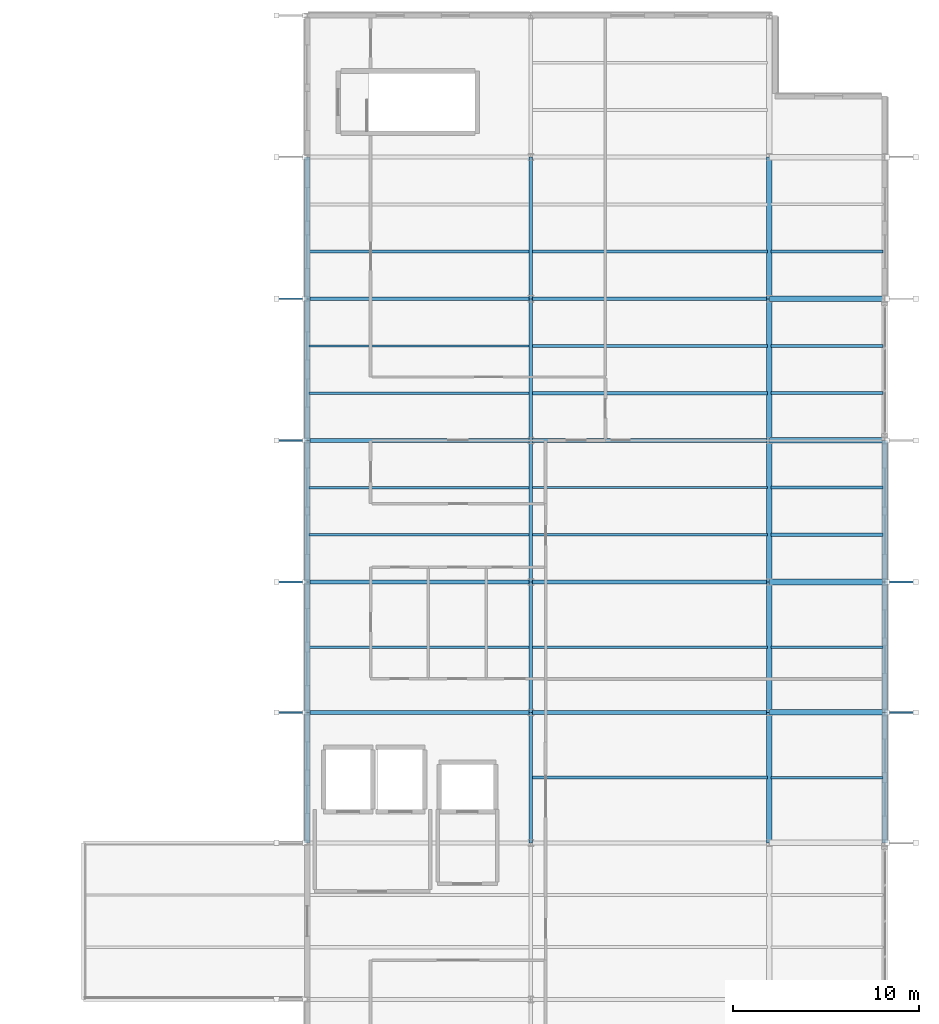
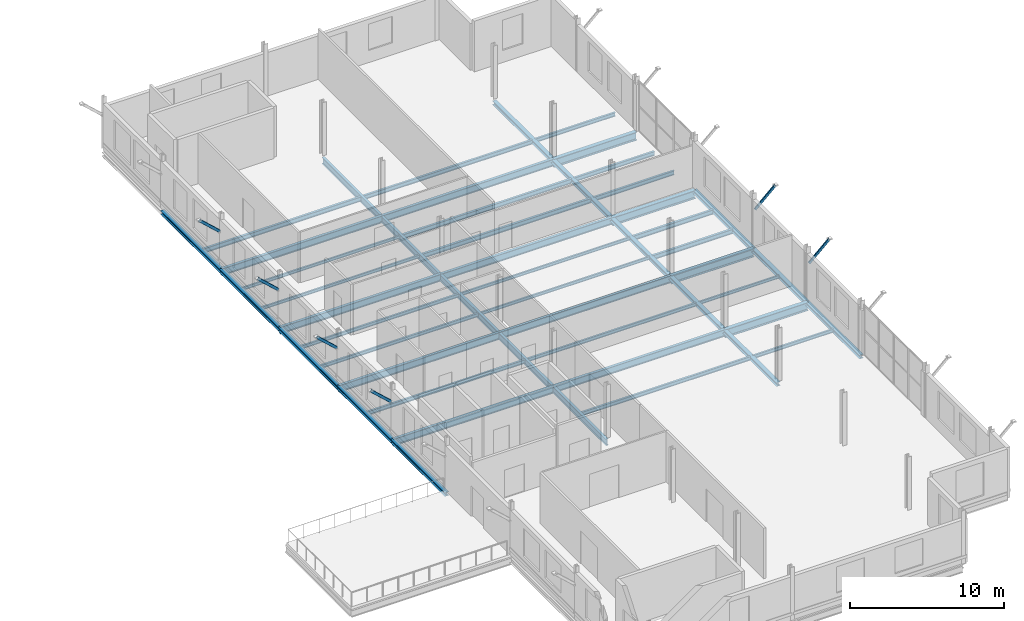
# One storey, part 14 of 25: 50 beams, 6 members.
"""IFC4 building model written with IfcOpenShell, lengths in metres."""

from ifc_helpers import new_model, si_unit, direction, frame, origin, origin_2d, place, context, subcontext, project, spatial, hollow_rectangle, i_section, extrude, material, material_profile, profile_set, type_object, element, save


model = new_model("IFC4")

# Units and contexts
model_context = context("Model", 3, precision=1e-05, world=origin(), true_north=direction((0.0, 1.0)))
body_context = subcontext(model_context, "Body", "Model", "MODEL_VIEW")
ifc_project = project(units=[si_unit("LENGTHUNIT", "METRE"), si_unit("AREAUNIT", "SQUARE_METRE"), si_unit("VOLUMEUNIT", "CUBIC_METRE"), si_unit("PLANEANGLEUNIT", "RADIAN"), si_unit("MASSUNIT", "GRAM", prefix="KILO")], contexts=[model_context])

# Site, building, storey
site_placement = place(None, origin())
site = spatial("IfcSite", under=ifc_project, at=site_placement, CompositionType="ELEMENT")
building_placement = place(site_placement, origin())
building = spatial("IfcBuilding", under=site, at=building_placement, Name="Vekula Escarpment Museum", CompositionType="ELEMENT")
storey_placement = place(building_placement, frame((0.0, 0.0, 26.39990234375)))
storey = spatial("IfcBuildingStorey", under=building, at=storey_placement, Name="L06", CompositionType="ELEMENT", Elevation=26.39990234375)

# Beams
ifc_material_1 = material(Name="Steel S355", Category="steel")
ifc_material_profile_1 = material_profile(ifc_material_1, i_section(OverallWidth=0.300048828125, OverallDepth=0.64990234375, WebThickness=0.01611328125, FlangeThickness=0.031005859375, FilletRadius=0.027099609375, at=origin_2d()), Name="HEB 650")
ifc_profile_set_1 = profile_set([ifc_material_profile_1], Name="Steel S355")
beam_type_1 = type_object("IfcBeamType", Name="BM-GIRD-HEB650", PredefinedType="BEAM", material=ifc_profile_set_1)
for number, where, z_axis, x_axis, name in (
    (1, (191.800048828125, 83.39990234375, -0.544921875), (1.0, 0.0, 0.0), (0.0, 1.0, 0.0), "Beam X L06 2229"),
    (2, (191.800048828125, 90.39990234375, -0.544921875), (1.0, 0.0, 0.0), (0.0, 1.0, 0.0), "Beam X L06 2232"),
    (3, (191.800048828125, 98.0, -0.544921875), (1.0, 0.0, 0.0), (0.0, 1.0, 0.0), "Beam X L06 2235"),
    (4, (191.800048828125, 105.60009765625, -0.544921875), (1.0, 0.0, 0.0), (0.0, 1.0, 0.0), "Beam X L06 2238"),
):
    element("IfcBeam", number, at=place(storey_placement, frame(where, z_axis=z_axis, x_axis=x_axis)), inside=storey, type_object=beam_type_1, Name=name, PredefinedType="BEAM", context=body_context, shape_type="SweptSolid", body=[
        extrude(i_section(OverallWidth=0.300048828125, OverallDepth=0.64990234375, WebThickness=0.01611328125, FlangeThickness=0.031005859375, FilletRadius=0.027099609375, at=origin_2d()), origin(), (0.0, 0.0, 1.0), 6.199951171875),
    ])
ifc_material_2 = material(Name="Steel S355", Category="steel")
ifc_material_profile_2 = material_profile(ifc_material_2, i_section(OverallWidth=0.199951171875, OverallDepth=0.5, WebThickness=0.01025390625, FlangeThickness=0.01611328125, FilletRadius=0.02099609375, at=origin_2d()), Name="IPE 500")
ifc_profile_set_2 = profile_set([ifc_material_profile_2], Name="Steel S355")
beam_type_2 = type_object("IfcBeamType", Name="BM-GIRD-IPE500", PredefinedType="BEAM", material=ifc_profile_set_2)
for number, where, z_axis, x_axis, name in (
    (5, (179.0, 76.39990234375, -0.469970703125), (0.0, 1.0, 0.0), (-1.0, 0.0, 0.0), "Beam Y L06 2279"),
    (6, (179.0, 83.39990234375, -0.469970703125), (0.0, 1.0, 0.0), (-1.0, 0.0, 0.0), "Beam Y L06 2280"),
):
    element("IfcBeam", number, at=place(storey_placement, frame(where, z_axis=z_axis, x_axis=x_axis)), inside=storey, type_object=beam_type_2, Name=name, PredefinedType="BEAM", context=body_context, shape_type="SweptSolid", body=[
        extrude(i_section(OverallWidth=0.199951171875, OverallDepth=0.5, WebThickness=0.01025390625, FlangeThickness=0.01611328125, FilletRadius=0.02099609375, at=origin_2d()), origin(), (0.0, 0.0, 1.0), 7.0),
    ])
for number, where, z_axis, x_axis, name in (
    (7, (179.0, 90.39990234375, -0.469970703125), (0.0, 1.0, 0.0), (-1.0, 0.0, 0.0), "Beam Y L06 2281"),
    (8, (179.0, 98.0, -0.469970703125), (0.0, 1.0, 0.0), (-1.0, 0.0, 0.0), "Beam Y L06 2282"),
):
    element("IfcBeam", number, at=place(storey_placement, frame(where, z_axis=z_axis, x_axis=x_axis)), inside=storey, type_object=beam_type_2, Name=name, PredefinedType="BEAM", context=body_context, shape_type="SweptSolid", body=[
        extrude(i_section(OverallWidth=0.199951171875, OverallDepth=0.5, WebThickness=0.01025390625, FlangeThickness=0.01611328125, FilletRadius=0.02099609375, at=origin_2d()), origin(), (0.0, 0.0, 1.0), 7.60009765625),
    ])
beam_1_placement = place(storey_placement, frame((179.0, 105.60009765625, -0.469970703125), z_axis=(0.0, 1.0, 0.0), x_axis=(-1.0, 0.0, 0.0)))
element("IfcBeam", 9, at=beam_1_placement, inside=storey, type_object=beam_type_2, Name="Beam Y L06 2283", PredefinedType="BEAM", context=body_context, shape_type="SweptSolid", body=[
    extrude(i_section(OverallWidth=0.199951171875, OverallDepth=0.5, WebThickness=0.01025390625, FlangeThickness=0.01611328125, FilletRadius=0.02099609375, at=origin_2d()), origin(), (0.0, 0.0, 1.0), 7.599853515625),
])
ifc_material_3 = material(Name="Steel S355", Category="steel")
ifc_material_profile_3 = material_profile(ifc_material_3, i_section(OverallWidth=0.2099609375, OverallDepth=0.550048828125, WebThickness=0.010986328125, FlangeThickness=0.01708984375, FilletRadius=0.02392578125, at=origin_2d()), Name="IPE 550")
ifc_profile_set_3 = profile_set([ifc_material_profile_3], Name="Steel S355")
beam_type_3 = type_object("IfcBeamType", Name="BM-GIRD-IPE550", PredefinedType="BEAM", material=ifc_profile_set_3)
beam_2_placement = place(storey_placement, frame((167.0, 83.39990234375, -0.494873046875), z_axis=(1.0, 0.0, 0.0), x_axis=(0.0, 1.0, 0.0)))
element("IfcBeam", 10, at=beam_2_placement, inside=storey, type_object=beam_type_3, Name="Beam X L06 2227", PredefinedType="BEAM", context=body_context, shape_type="SweptSolid", body=[
    extrude(i_section(OverallWidth=0.2099609375, OverallDepth=0.550048828125, WebThickness=0.010986328125, FlangeThickness=0.01708984375, FilletRadius=0.02392578125, at=origin_2d()), origin(), (0.0, 0.0, 1.0), 12.0),
])
beam_3_placement = place(storey_placement, frame((179.0, 83.39990234375, -0.494873046875), z_axis=(1.0, 0.0, 0.0), x_axis=(0.0, 1.0, 0.0)))
element("IfcBeam", 11, at=beam_3_placement, inside=storey, type_object=beam_type_3, Name="Beam X L06 2228", PredefinedType="BEAM", context=body_context, shape_type="SweptSolid", body=[
    extrude(i_section(OverallWidth=0.2099609375, OverallDepth=0.550048828125, WebThickness=0.010986328125, FlangeThickness=0.01708984375, FilletRadius=0.02392578125, at=origin_2d()), origin(), (0.0, 0.0, 1.0), 12.800048828125),
])
beam_4_placement = place(storey_placement, frame((167.0, 90.39990234375, -0.494873046875), z_axis=(1.0, 0.0, 0.0), x_axis=(0.0, 1.0, 0.0)))
element("IfcBeam", 12, at=beam_4_placement, inside=storey, type_object=beam_type_3, Name="Beam X L06 2230", PredefinedType="BEAM", context=body_context, shape_type="SweptSolid", body=[
    extrude(i_section(OverallWidth=0.2099609375, OverallDepth=0.550048828125, WebThickness=0.010986328125, FlangeThickness=0.01708984375, FilletRadius=0.02392578125, at=origin_2d()), origin(), (0.0, 0.0, 1.0), 12.0),
])
beam_5_placement = place(storey_placement, frame((179.0, 90.39990234375, -0.494873046875), z_axis=(1.0, 0.0, 0.0), x_axis=(0.0, 1.0, 0.0)))
element("IfcBeam", 13, at=beam_5_placement, inside=storey, type_object=beam_type_3, Name="Beam X L06 2231", PredefinedType="BEAM", context=body_context, shape_type="SweptSolid", body=[
    extrude(i_section(OverallWidth=0.2099609375, OverallDepth=0.550048828125, WebThickness=0.010986328125, FlangeThickness=0.01708984375, FilletRadius=0.02392578125, at=origin_2d()), origin(), (0.0, 0.0, 1.0), 12.800048828125),
])
beam_6_placement = place(storey_placement, frame((167.0, 98.0, -0.494873046875), z_axis=(1.0, 0.0, 0.0), x_axis=(0.0, 1.0, 0.0)))
element("IfcBeam", 14, at=beam_6_placement, inside=storey, type_object=beam_type_3, Name="Beam X L06 2233", PredefinedType="BEAM", context=body_context, shape_type="SweptSolid", body=[
    extrude(i_section(OverallWidth=0.2099609375, OverallDepth=0.550048828125, WebThickness=0.010986328125, FlangeThickness=0.01708984375, FilletRadius=0.02392578125, at=origin_2d()), origin(), (0.0, 0.0, 1.0), 12.0),
])
beam_7_placement = place(storey_placement, frame((179.0, 98.0, -0.494873046875), z_axis=(1.0, 0.0, 0.0), x_axis=(0.0, 1.0, 0.0)))
element("IfcBeam", 15, at=beam_7_placement, inside=storey, type_object=beam_type_3, Name="Beam X L06 2234", PredefinedType="BEAM", context=body_context, shape_type="SweptSolid", body=[
    extrude(i_section(OverallWidth=0.2099609375, OverallDepth=0.550048828125, WebThickness=0.010986328125, FlangeThickness=0.01708984375, FilletRadius=0.02392578125, at=origin_2d()), origin(), (0.0, 0.0, 1.0), 12.800048828125),
])
beam_8_placement = place(storey_placement, frame((167.0, 105.60009765625, -0.494873046875), z_axis=(1.0, 0.0, 0.0), x_axis=(0.0, 1.0, 0.0)))
element("IfcBeam", 16, at=beam_8_placement, inside=storey, type_object=beam_type_3, Name="Beam X L06 2236", PredefinedType="BEAM", context=body_context, shape_type="SweptSolid", body=[
    extrude(i_section(OverallWidth=0.2099609375, OverallDepth=0.550048828125, WebThickness=0.010986328125, FlangeThickness=0.01708984375, FilletRadius=0.02392578125, at=origin_2d()), origin(), (0.0, 0.0, 1.0), 12.0),
])
beam_9_placement = place(storey_placement, frame((179.0, 105.60009765625, -0.494873046875), z_axis=(1.0, 0.0, 0.0), x_axis=(0.0, 1.0, 0.0)))
element("IfcBeam", 17, at=beam_9_placement, inside=storey, type_object=beam_type_3, Name="Beam X L06 2237", PredefinedType="BEAM", context=body_context, shape_type="SweptSolid", body=[
    extrude(i_section(OverallWidth=0.2099609375, OverallDepth=0.550048828125, WebThickness=0.010986328125, FlangeThickness=0.01708984375, FilletRadius=0.02392578125, at=origin_2d()), origin(), (0.0, 0.0, 1.0), 12.800048828125),
])
ifc_material_4 = material(Name="Steel S355", Category="steel")
ifc_material_profile_4 = material_profile(ifc_material_4, i_section(OverallWidth=0.1201171875, OverallDepth=0.239990234375, WebThickness=0.006103515625, FlangeThickness=0.009765625, FilletRadius=0.014892578125, at=origin_2d()), Name="IPE 240")
ifc_profile_set_4 = profile_set([ifc_material_profile_4], Name="Steel S355")
beam_type_4 = type_object("IfcBeamType", Name="BM-JST-IPE240", PredefinedType="JOIST", material=ifc_profile_set_4)
for number, where, z_axis, x_axis, name in (
    (18, (167.090087890625, 100.533203125, -0.33984375), (1.0, 0.0, 0.0), (0.0, 1.0, 0.0), "Secondary Joist L06 1459"),
    (19, (167.090087890625, 103.066650390625, -0.33984375), (1.0, 0.0, 0.0), (0.0, 1.0, 0.0), "Secondary Joist L06 1460"),
):
    element("IfcBeam", number, at=place(storey_placement, frame(where, z_axis=z_axis, x_axis=x_axis)), inside=storey, type_object=beam_type_4, Name=name, PredefinedType="JOIST", context=body_context, shape_type="SweptSolid", body=[
        extrude(i_section(OverallWidth=0.1201171875, OverallDepth=0.239990234375, WebThickness=0.006103515625, FlangeThickness=0.009765625, FilletRadius=0.014892578125, at=origin_2d()), origin(), (0.0, 0.0, 1.0), 11.81982421875),
    ])
for number, where, z_axis, x_axis, name in (
    (20, (179.090087890625, 92.933349609375, -0.33984375), (1.0, 0.0, 0.0), (0.0, 1.0, 0.0), "Secondary Joist L06 1470"),
    (21, (179.090087890625, 95.466796875, -0.33984375), (1.0, 0.0, 0.0), (0.0, 1.0, 0.0), "Secondary Joist L06 1471"),
):
    element("IfcBeam", number, at=place(storey_placement, frame(where, z_axis=z_axis, x_axis=x_axis)), inside=storey, type_object=beam_type_4, Name=name, PredefinedType="JOIST", context=body_context, shape_type="SweptSolid", body=[
        extrude(i_section(OverallWidth=0.1201171875, OverallDepth=0.239990234375, WebThickness=0.006103515625, FlangeThickness=0.009765625, FilletRadius=0.014892578125, at=origin_2d()), origin(), (0.0, 0.0, 1.0), 12.619873046875),
    ])
beam_10_placement = place(storey_placement, frame((191.889892578125, 86.89990234375, -0.33984375), z_axis=(1.0, 0.0, 0.0), x_axis=(0.0, 1.0, 0.0)))
element("IfcBeam", 22, at=beam_10_placement, inside=storey, type_object=beam_type_4, Name="Secondary Joist L06 1483", PredefinedType="JOIST", context=body_context, shape_type="SweptSolid", body=[
    extrude(i_section(OverallWidth=0.1201171875, OverallDepth=0.239990234375, WebThickness=0.006103515625, FlangeThickness=0.009765625, FilletRadius=0.014892578125, at=origin_2d()), origin(), (0.0, 0.0, 1.0), 6.02001953125),
])
ifc_material_5 = material(Name="Steel S355", Category="steel")
ifc_material_profile_5 = material_profile(ifc_material_5, i_section(OverallWidth=0.135009765625, OverallDepth=0.27001953125, WebThickness=0.006591796875, FlangeThickness=0.01025390625, FilletRadius=0.014892578125, at=origin_2d()), Name="IPE 270")
ifc_profile_set_5 = profile_set([ifc_material_profile_5], Name="Steel S355")
beam_type_5 = type_object("IfcBeamType", Name="BM-JST-IPE270", PredefinedType="JOIST", material=ifc_profile_set_5)
for number, where, z_axis, x_axis, name in (
    (23, (167.090087890625, 92.933349609375, -0.35498046875), (1.0, 0.0, 0.0), (0.0, 1.0, 0.0), "Secondary Joist L06 1457"),
    (24, (167.090087890625, 95.466796875, -0.35498046875), (1.0, 0.0, 0.0), (0.0, 1.0, 0.0), "Secondary Joist L06 1458"),
):
    element("IfcBeam", number, at=place(storey_placement, frame(where, z_axis=z_axis, x_axis=x_axis)), inside=storey, type_object=beam_type_5, Name=name, PredefinedType="JOIST", context=body_context, shape_type="SweptSolid", body=[
        extrude(i_section(OverallWidth=0.135009765625, OverallDepth=0.27001953125, WebThickness=0.006591796875, FlangeThickness=0.01025390625, FilletRadius=0.014892578125, at=origin_2d()), origin(), (0.0, 0.0, 1.0), 11.81982421875),
    ])
beam_11_placement = place(storey_placement, frame((179.090087890625, 86.89990234375, -0.35498046875), z_axis=(1.0, 0.0, 0.0), x_axis=(0.0, 1.0, 0.0)))
element("IfcBeam", 25, at=beam_11_placement, inside=storey, type_object=beam_type_5, Name="Secondary Joist L06 1469", PredefinedType="JOIST", context=body_context, shape_type="SweptSolid", body=[
    extrude(i_section(OverallWidth=0.135009765625, OverallDepth=0.27001953125, WebThickness=0.006591796875, FlangeThickness=0.01025390625, FilletRadius=0.014892578125, at=origin_2d()), origin(), (0.0, 0.0, 1.0), 12.619873046875),
])
beam_12_placement = place(storey_placement, frame((191.889892578125, 79.89990234375, -0.35498046875), z_axis=(1.0, 0.0, 0.0), x_axis=(0.0, 1.0, 0.0)))
element("IfcBeam", 26, at=beam_12_placement, inside=storey, type_object=beam_type_5, Name="Secondary Joist L06 1482", PredefinedType="JOIST", context=body_context, shape_type="SweptSolid", body=[
    extrude(i_section(OverallWidth=0.135009765625, OverallDepth=0.27001953125, WebThickness=0.006591796875, FlangeThickness=0.01025390625, FilletRadius=0.014892578125, at=origin_2d()), origin(), (0.0, 0.0, 1.0), 6.02001953125),
])
ifc_material_6 = material(Name="Steel S355", Category="steel")
ifc_material_profile_6 = material_profile(ifc_material_6, i_section(OverallWidth=0.14990234375, OverallDepth=0.300048828125, WebThickness=0.007080078125, FlangeThickness=0.0107421875, FilletRadius=0.014892578125, at=origin_2d()), Name="IPE 300")
ifc_profile_set_6 = profile_set([ifc_material_profile_6], Name="Steel S355")
beam_type_6 = type_object("IfcBeamType", Name="BM-JST-IPE300", PredefinedType="JOIST", material=ifc_profile_set_6)
beam_13_placement = place(storey_placement, frame((167.090087890625, 86.89990234375, -0.369873046875), z_axis=(1.0, 0.0, 0.0), x_axis=(0.0, 1.0, 0.0)))
element("IfcBeam", 27, at=beam_13_placement, inside=storey, type_object=beam_type_6, Name="Secondary Joist L06 1456", PredefinedType="JOIST", context=body_context, shape_type="SweptSolid", body=[
    extrude(i_section(OverallWidth=0.14990234375, OverallDepth=0.300048828125, WebThickness=0.007080078125, FlangeThickness=0.0107421875, FilletRadius=0.014892578125, at=origin_2d()), origin(), (0.0, 0.0, 1.0), 11.81982421875),
])
beam_14_placement = place(storey_placement, frame((179.090087890625, 79.89990234375, -0.369873046875), z_axis=(1.0, 0.0, 0.0), x_axis=(0.0, 1.0, 0.0)))
element("IfcBeam", 28, at=beam_14_placement, inside=storey, type_object=beam_type_6, Name="Secondary Joist L06 1468", PredefinedType="JOIST", context=body_context, shape_type="SweptSolid", body=[
    extrude(i_section(OverallWidth=0.14990234375, OverallDepth=0.300048828125, WebThickness=0.007080078125, FlangeThickness=0.0107421875, FilletRadius=0.014892578125, at=origin_2d()), origin(), (0.0, 0.0, 1.0), 12.619873046875),
])
beam_15_placement = place(storey_placement, frame((191.889892578125, 108.13330078125, -0.369873046875), z_axis=(1.0, 0.0, 0.0), x_axis=(0.0, 1.0, 0.0)))
element("IfcBeam", 29, at=beam_15_placement, inside=storey, type_object=beam_type_6, Name="Secondary Joist L06 1488", PredefinedType="JOIST", context=body_context, shape_type="SweptSolid", body=[
    extrude(i_section(OverallWidth=0.14990234375, OverallDepth=0.300048828125, WebThickness=0.007080078125, FlangeThickness=0.0107421875, FilletRadius=0.014892578125, at=origin_2d()), origin(), (0.0, 0.0, 1.0), 6.02001953125),
])
ifc_material_7 = material(Name="Steel S355", Category="steel")
ifc_material_profile_7 = material_profile(ifc_material_7, i_section(OverallWidth=0.159912109375, OverallDepth=0.330078125, WebThickness=0.007568359375, FlangeThickness=0.011474609375, FilletRadius=0.01806640625, at=origin_2d()), Name="IPE 330")
ifc_profile_set_7 = profile_set([ifc_material_profile_7], Name="Steel S355")
beam_type_7 = type_object("IfcBeamType", Name="BM-JST-IPE330", PredefinedType="JOIST", material=ifc_profile_set_7)
beam_16_placement = place(storey_placement, frame((179.090087890625, 108.13330078125, -0.385009765625), z_axis=(1.0, 0.0, 0.0), x_axis=(0.0, 1.0, 0.0)))
element("IfcBeam", 30, at=beam_16_placement, inside=storey, type_object=beam_type_7, Name="Secondary Joist L06 1474", PredefinedType="JOIST", context=body_context, shape_type="SweptSolid", body=[
    extrude(i_section(OverallWidth=0.159912109375, OverallDepth=0.330078125, WebThickness=0.007568359375, FlangeThickness=0.011474609375, FilletRadius=0.01806640625, at=origin_2d()), origin(), (0.0, 0.0, 1.0), 12.619873046875),
])
for number, where, z_axis, x_axis, name in (
    (31, (191.889892578125, 100.533203125, -0.385009765625), (1.0, 0.0, 0.0), (0.0, 1.0, 0.0), "Secondary Joist L06 1486"),
    (32, (191.889892578125, 103.066650390625, -0.385009765625), (1.0, 0.0, 0.0), (0.0, 1.0, 0.0), "Secondary Joist L06 1487"),
):
    element("IfcBeam", number, at=place(storey_placement, frame(where, z_axis=z_axis, x_axis=x_axis)), inside=storey, type_object=beam_type_7, Name=name, PredefinedType="JOIST", context=body_context, shape_type="SweptSolid", body=[
        extrude(i_section(OverallWidth=0.159912109375, OverallDepth=0.330078125, WebThickness=0.007568359375, FlangeThickness=0.011474609375, FilletRadius=0.01806640625, at=origin_2d()), origin(), (0.0, 0.0, 1.0), 6.02001953125),
    ])
ifc_material_8 = material(Name="Steel S355", Category="steel")
ifc_material_profile_8 = material_profile(ifc_material_8, i_section(OverallWidth=0.169921875, OverallDepth=0.360107421875, WebThickness=0.008056640625, FlangeThickness=0.0126953125, FilletRadius=0.01806640625, at=origin_2d()), Name="IPE 360")
ifc_profile_set_8 = profile_set([ifc_material_profile_8], Name="Steel S355")
beam_type_8 = type_object("IfcBeamType", Name="BM-JST-IPE360", PredefinedType="JOIST", material=ifc_profile_set_8)
beam_17_placement = place(storey_placement, frame((167.090087890625, 108.13330078125, -0.39990234375), z_axis=(1.0, 0.0, 0.0), x_axis=(0.0, 1.0, 0.0)))
element("IfcBeam", 33, at=beam_17_placement, inside=storey, type_object=beam_type_8, Name="Secondary Joist L06 1461", PredefinedType="JOIST", context=body_context, shape_type="SweptSolid", body=[
    extrude(i_section(OverallWidth=0.169921875, OverallDepth=0.360107421875, WebThickness=0.008056640625, FlangeThickness=0.0126953125, FilletRadius=0.01806640625, at=origin_2d()), origin(), (0.0, 0.0, 1.0), 11.81982421875),
])
for number, where, z_axis, x_axis, name in (
    (34, (179.090087890625, 100.533203125, -0.39990234375), (1.0, 0.0, 0.0), (0.0, 1.0, 0.0), "Secondary Joist L06 1472"),
    (35, (179.090087890625, 103.066650390625, -0.39990234375), (1.0, 0.0, 0.0), (0.0, 1.0, 0.0), "Secondary Joist L06 1473"),
):
    element("IfcBeam", number, at=place(storey_placement, frame(where, z_axis=z_axis, x_axis=x_axis)), inside=storey, type_object=beam_type_8, Name=name, PredefinedType="JOIST", context=body_context, shape_type="SweptSolid", body=[
        extrude(i_section(OverallWidth=0.169921875, OverallDepth=0.360107421875, WebThickness=0.008056640625, FlangeThickness=0.0126953125, FilletRadius=0.01806640625, at=origin_2d()), origin(), (0.0, 0.0, 1.0), 12.619873046875),
    ])
for number, where, z_axis, x_axis, name in (
    (36, (191.889892578125, 92.933349609375, -0.39990234375), (1.0, 0.0, 0.0), (0.0, 1.0, 0.0), "Secondary Joist L06 1484"),
    (37, (191.889892578125, 95.466796875, -0.39990234375), (1.0, 0.0, 0.0), (0.0, 1.0, 0.0), "Secondary Joist L06 1485"),
):
    element("IfcBeam", number, at=place(storey_placement, frame(where, z_axis=z_axis, x_axis=x_axis)), inside=storey, type_object=beam_type_8, Name=name, PredefinedType="JOIST", context=body_context, shape_type="SweptSolid", body=[
        extrude(i_section(OverallWidth=0.169921875, OverallDepth=0.360107421875, WebThickness=0.008056640625, FlangeThickness=0.0126953125, FilletRadius=0.01806640625, at=origin_2d()), origin(), (0.0, 0.0, 1.0), 6.02001953125),
    ])
ifc_material_9 = material(Name="Steel S355", Category="steel")
ifc_material_profile_9 = material_profile(ifc_material_9, i_section(OverallWidth=0.300048828125, OverallDepth=0.2900390625, WebThickness=0.008544921875, FlangeThickness=0.013916015625, FilletRadius=0.027099609375, at=origin_2d()), Name="HEA 300")
ifc_profile_set_9 = profile_set([ifc_material_profile_9], Name="Steel S355")
beam_type_9 = type_object("IfcBeamType", Name="BM-SPAN-HEA300", PredefinedType="SPANDREL", material=ifc_profile_set_9)
for number, where, z_axis, x_axis, name in (
    (38, (167.0, 76.39990234375, -0.364990234375), (0.0, 1.0, 0.0), (-1.0, 0.0, 0.0), "Beam Y L06 2270"),
    (39, (167.0, 83.39990234375, -0.364990234375), (0.0, 1.0, 0.0), (-1.0, 0.0, 0.0), "Beam Y L06 2271"),
):
    element("IfcBeam", number, at=place(storey_placement, frame(where, z_axis=z_axis, x_axis=x_axis)), inside=storey, type_object=beam_type_9, Name=name, PredefinedType="SPANDREL", context=body_context, shape_type="SweptSolid", body=[
        extrude(i_section(OverallWidth=0.300048828125, OverallDepth=0.2900390625, WebThickness=0.008544921875, FlangeThickness=0.013916015625, FilletRadius=0.027099609375, at=origin_2d()), origin(), (0.0, 0.0, 1.0), 7.0),
    ])
for number, where, z_axis, x_axis, name in (
    (40, (167.0, 90.39990234375, -0.364990234375), (0.0, 1.0, 0.0), (-1.0, 0.0, 0.0), "Beam Y L06 2272"),
    (41, (167.0, 98.0, -0.364990234375), (0.0, 1.0, 0.0), (-1.0, 0.0, 0.0), "Beam Y L06 2273"),
):
    element("IfcBeam", number, at=place(storey_placement, frame(where, z_axis=z_axis, x_axis=x_axis)), inside=storey, type_object=beam_type_9, Name=name, PredefinedType="SPANDREL", context=body_context, shape_type="SweptSolid", body=[
        extrude(i_section(OverallWidth=0.300048828125, OverallDepth=0.2900390625, WebThickness=0.008544921875, FlangeThickness=0.013916015625, FilletRadius=0.027099609375, at=origin_2d()), origin(), (0.0, 0.0, 1.0), 7.60009765625),
    ])
beam_18_placement = place(storey_placement, frame((167.0, 105.60009765625, -0.364990234375), z_axis=(0.0, 1.0, 0.0), x_axis=(-1.0, 0.0, 0.0)))
element("IfcBeam", 42, at=beam_18_placement, inside=storey, type_object=beam_type_9, Name="Beam Y L06 2274", PredefinedType="SPANDREL", context=body_context, shape_type="SweptSolid", body=[
    extrude(i_section(OverallWidth=0.300048828125, OverallDepth=0.2900390625, WebThickness=0.008544921875, FlangeThickness=0.013916015625, FilletRadius=0.027099609375, at=origin_2d()), origin(), (0.0, 0.0, 1.0), 7.599853515625),
])
for number, where, z_axis, x_axis, name in (
    (43, (191.800048828125, 76.39990234375, -0.364990234375), (0.0, 1.0, 0.0), (-1.0, 0.0, 0.0), "Beam Y L06 2288"),
    (44, (191.800048828125, 83.39990234375, -0.364990234375), (0.0, 1.0, 0.0), (-1.0, 0.0, 0.0), "Beam Y L06 2289"),
):
    element("IfcBeam", number, at=place(storey_placement, frame(where, z_axis=z_axis, x_axis=x_axis)), inside=storey, type_object=beam_type_9, Name=name, PredefinedType="SPANDREL", context=body_context, shape_type="SweptSolid", body=[
        extrude(i_section(OverallWidth=0.300048828125, OverallDepth=0.2900390625, WebThickness=0.008544921875, FlangeThickness=0.013916015625, FilletRadius=0.027099609375, at=origin_2d()), origin(), (0.0, 0.0, 1.0), 7.0),
    ])
for number, where, z_axis, x_axis, name in (
    (45, (191.800048828125, 90.39990234375, -0.364990234375), (0.0, 1.0, 0.0), (-1.0, 0.0, 0.0), "Beam Y L06 2290"),
    (46, (191.800048828125, 98.0, -0.364990234375), (0.0, 1.0, 0.0), (-1.0, 0.0, 0.0), "Beam Y L06 2291"),
):
    element("IfcBeam", number, at=place(storey_placement, frame(where, z_axis=z_axis, x_axis=x_axis)), inside=storey, type_object=beam_type_9, Name=name, PredefinedType="SPANDREL", context=body_context, shape_type="SweptSolid", body=[
        extrude(i_section(OverallWidth=0.300048828125, OverallDepth=0.2900390625, WebThickness=0.008544921875, FlangeThickness=0.013916015625, FilletRadius=0.027099609375, at=origin_2d()), origin(), (0.0, 0.0, 1.0), 7.60009765625),
    ])
beam_19_placement = place(storey_placement, frame((191.800048828125, 105.60009765625, -0.364990234375), z_axis=(0.0, 1.0, 0.0), x_axis=(-1.0, 0.0, 0.0)))
element("IfcBeam", 47, at=beam_19_placement, inside=storey, type_object=beam_type_9, Name="Beam Y L06 2292", PredefinedType="SPANDREL", context=body_context, shape_type="SweptSolid", body=[
    extrude(i_section(OverallWidth=0.300048828125, OverallDepth=0.2900390625, WebThickness=0.008544921875, FlangeThickness=0.013916015625, FilletRadius=0.027099609375, at=origin_2d()), origin(), (0.0, 0.0, 1.0), 7.599853515625),
])
for number, where, z_axis, x_axis, name in (
    (48, (198.0, 76.39990234375, -0.364990234375), (0.0, 1.0, 0.0), (-1.0, 0.0, 0.0), "Beam Y L06 2296"),
    (49, (198.0, 83.39990234375, -0.364990234375), (0.0, 1.0, 0.0), (-1.0, 0.0, 0.0), "Beam Y L06 2297"),
):
    element("IfcBeam", number, at=place(storey_placement, frame(where, z_axis=z_axis, x_axis=x_axis)), inside=storey, type_object=beam_type_9, Name=name, PredefinedType="SPANDREL", context=body_context, shape_type="SweptSolid", body=[
        extrude(i_section(OverallWidth=0.300048828125, OverallDepth=0.2900390625, WebThickness=0.008544921875, FlangeThickness=0.013916015625, FilletRadius=0.027099609375, at=origin_2d()), origin(), (0.0, 0.0, 1.0), 7.0),
    ])
beam_20_placement = place(storey_placement, frame((198.0, 90.39990234375, -0.364990234375), z_axis=(0.0, 1.0, 0.0), x_axis=(-1.0, 0.0, 0.0)))
element("IfcBeam", 50, at=beam_20_placement, inside=storey, type_object=beam_type_9, Name="Beam Y L06 2298", PredefinedType="SPANDREL", context=body_context, shape_type="SweptSolid", body=[
    extrude(i_section(OverallWidth=0.300048828125, OverallDepth=0.2900390625, WebThickness=0.008544921875, FlangeThickness=0.013916015625, FilletRadius=0.027099609375, at=origin_2d()), origin(), (0.0, 0.0, 1.0), 7.60009765625),
])

# Members
ifc_material_10 = material(Name="Steel S355", Category="steel")
ifc_material_profile_10 = material_profile(ifc_material_10, hollow_rectangle(XDim=0.10009765625, YDim=0.199951171875, WallThickness=0.008056640625, InnerFilletRadius=0.008056640625, OuterFilletRadius=0.01611328125, at=origin_2d()), Name="RHS 200x100x8")
ifc_profile_set_10 = profile_set([ifc_material_profile_10], Name="Steel S355")
member_type = type_object("IfcMemberType", Name="MB-SACAK-BRK", PredefinedType="STRUT", material=ifc_profile_set_10)
for number, where, z_axis, x_axis, name in (
    (51, (166.8798828125, 83.39990234375, 2.75), (-0.737671918574, 0.0, 0.675159344561), (0.0, -1.0, 0.0), "Cumba Sacak Eave Bracket 0156"),
    (52, (198.1201171875, 83.39990234375, 2.75), (0.737671918574, 0.0, 0.675159344561), (0.0, 1.0, 0.0), "Cumba Sacak Eave Bracket 0157"),
    (53, (166.8798828125, 90.39990234375, 2.75), (-0.737671918574, 0.0, 0.675159344561), (0.0, -1.0, 0.0), "Cumba Sacak Eave Bracket 0158"),
    (54, (198.1201171875, 90.39990234375, 2.75), (0.737671918574, 0.0, 0.675159344561), (0.0, 1.0, 0.0), "Cumba Sacak Eave Bracket 0159"),
    (55, (166.8798828125, 98.0, 2.75), (-0.737671918574, 0.0, 0.675159344561), (0.0, -1.0, 0.0), "Cumba Sacak Eave Bracket 0160"),
    (56, (166.8798828125, 105.60009765625, 2.75), (-0.737671918574, 0.0, 0.675159344561), (0.0, -1.0, 0.0), "Cumba Sacak Eave Bracket 0162"),
):
    element("IfcMember", number, at=place(storey_placement, frame(where, z_axis=z_axis, x_axis=x_axis)), inside=storey, type_object=member_type, Name=name, PredefinedType="STRUT", context=body_context, shape_type="SweptSolid", body=[
        extrude(hollow_rectangle(XDim=0.10009765625, YDim=0.199951171875, WallThickness=0.008056640625, InnerFilletRadius=0.008056640625, OuterFilletRadius=0.01611328125, at=origin_2d()), origin(), (0.0, 0.0, 1.0), 2.07373046875),
    ])

save(model, "model.ifc")
